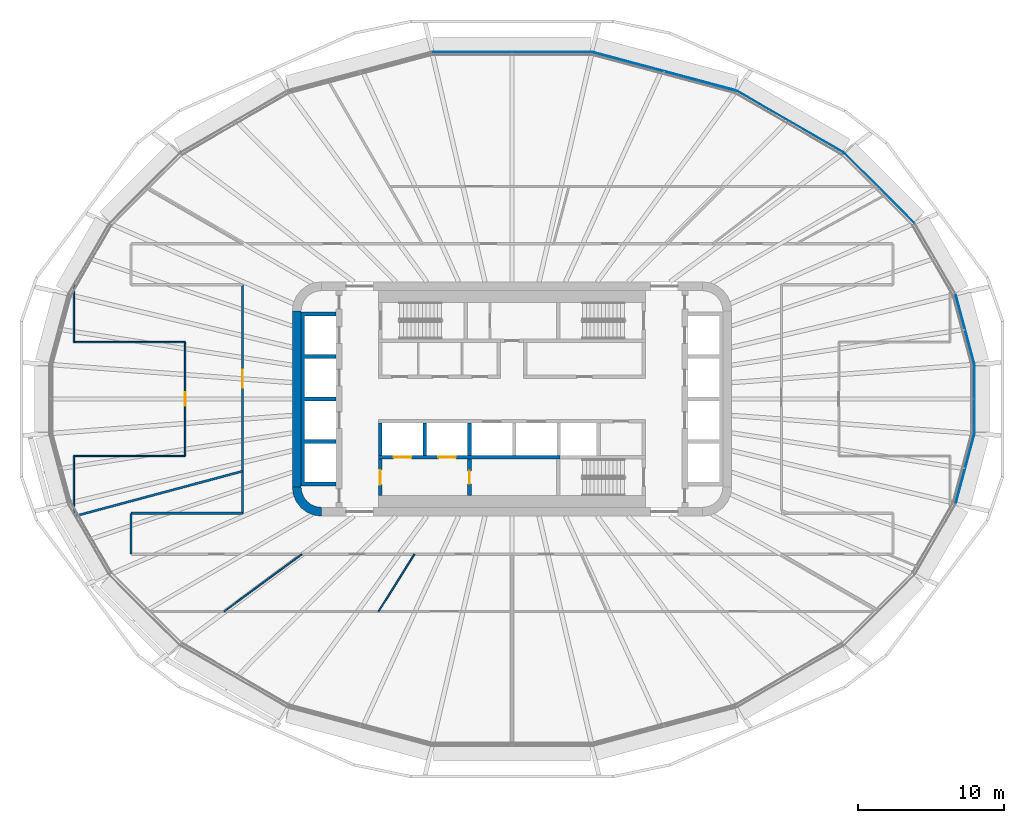
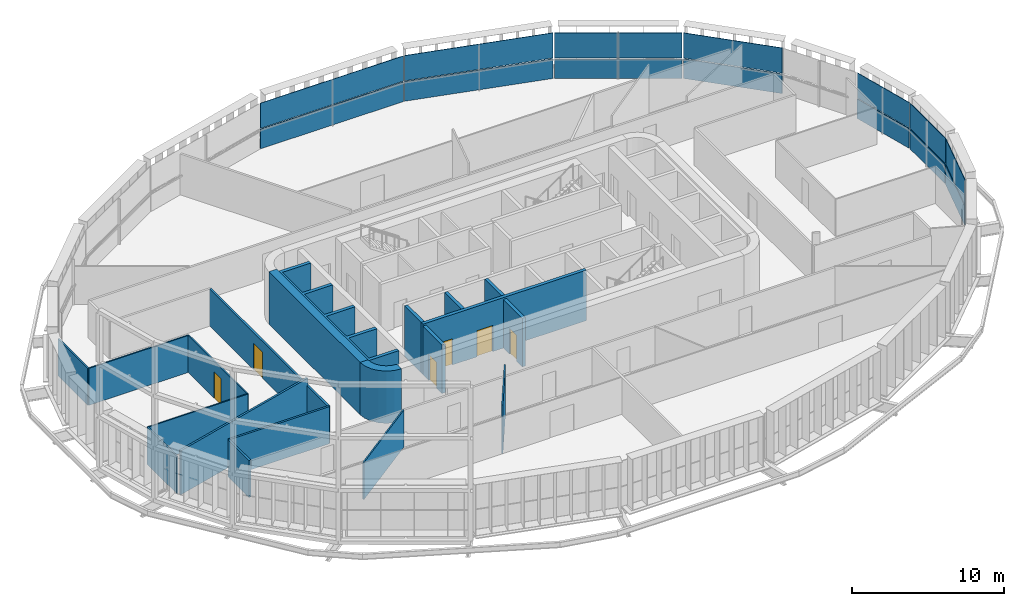
# One storey, part 14 of 25: 20 walls, 14 plates, 6 doors, 6 openings, 7 elements without a shape of their own.
"""IFC4 building model written with IfcOpenShell, lengths in metres."""

from ifc_helpers import new_model, si_unit, direction, frame, frame_2d, origin, place, context, subcontext, project, spatial, polyline, rectangle, outline, extrude, material, layer, layer_set, type_object, element, fill, aggregate, save


model = new_model("IFC4")

# Units and contexts
model_context = context("Model", 3, precision=1e-05, world=origin(), true_north=direction((0.0, 1.0)))
body_context = subcontext(model_context, "Body", "Model", "MODEL_VIEW")
ifc_project = project(units=[si_unit("LENGTHUNIT", "METRE"), si_unit("AREAUNIT", "SQUARE_METRE"), si_unit("VOLUMEUNIT", "CUBIC_METRE"), si_unit("PLANEANGLEUNIT", "RADIAN"), si_unit("MASSUNIT", "GRAM", prefix="KILO")], contexts=[model_context])

# Site, building, storey
site_placement = place(None, origin())
site = spatial("IfcSite", under=ifc_project, at=site_placement, CompositionType="ELEMENT")
building_placement = place(site_placement, origin())
building = spatial("IfcBuilding", under=site, at=building_placement, Name="Sahrelin Media Tower", CompositionType="ELEMENT")
storey_placement = place(building_placement, frame((0.0, 0.0, 135.60009765625)))
storey = spatial("IfcBuildingStorey", under=building, at=storey_placement, Name="L27", CompositionType="ELEMENT", Elevation=135.60009765625)

# Curtain wall, plate
ifc_material_1 = material(Name="Champagne anodised aluminium 6063-T6", Category="aluminium")
ifc_layer_1 = layer(ifc_material_1, 0.14990234375)
ifc_layer_set_1 = layer_set([ifc_layer_1], Name="Tower ribbon curtain wall")
curtain_wall_type = type_object("IfcCurtainWallType", Name="Tower ribbon curtain wall", PredefinedType="NOTDEFINED", material=ifc_layer_set_1)
curtain_wall_1_placement = place(storey_placement, frame((31.57861328125, 0.0, 0.0), z_axis=(0.0, 0.0, 1.0), x_axis=(1.0, 0.0, 0.0)))
curtain_wall_1 = element("IfcCurtainWall", 1, at=curtain_wall_1_placement, inside=storey, type_object=curtain_wall_type, Name="L27:CW:L27-00", PredefinedType="NOTDEFINED")
ifc_material_2 = material(Name="Clear low-iron glazing", Category="glass")
ifc_layer_2 = layer(ifc_material_2, 0.0400390625)
ifc_layer_set_2 = layer_set([ifc_layer_2], Name="Glazing panel 40 mm CW1")
plate_type_1 = type_object("IfcPlateType", Name="Glazing panel 40 mm CW1", PredefinedType="CURTAIN_PANEL", material=ifc_layer_set_2)
plate_1_placement = place(storey_placement, frame((31.5986328125, -2.30859375, 1.6298828125), z_axis=(1.0, 0.0, 0.0), x_axis=(0.0, 1.0, 0.0)))
plate_1 = element("IfcPlate", 2, at=plate_1_placement, type_object=plate_type_1, Name="L27:CWP2:L27-00", PredefinedType="CURTAIN_PANEL", context=body_context, shape_type="SweptSolid", body=[
    extrude(outline(polyline([(0.0, 0.0), (4.6171875, 0.0), (4.6171875, 2.0185546875), (0.0, 2.0185546875), (0.0, 0.0)])), origin(), (0.0, 0.0, -1.0), 0.0400390625),
])

curtain_wall_2_placement = place(storey_placement, frame((30.940185546875, 4.7412109375, 0.0), z_axis=(0.0, 0.0, 1.0), x_axis=(1.0, 0.0, 0.0)))
curtain_wall_2 = element("IfcCurtainWall", 3, at=curtain_wall_2_placement, inside=storey, type_object=curtain_wall_type, Name="L27:CW:L27-01", PredefinedType="NOTDEFINED")
plate_2_placement = place(storey_placement, frame((31.585205078125, 2.412109375, 1.6298828125), z_axis=(0.965913101603, 0.258866529609, 0.0), x_axis=(-0.258866529609, 0.965913101603, 0.0)))
plate_2 = element("IfcPlate", 4, at=plate_2_placement, type_object=plate_type_1, Name="L27:CWP2:L27-01", PredefinedType="CURTAIN_PANEL", context=body_context, shape_type="SweptSolid", body=[
    extrude(outline(polyline([(0.0, 0.0), (4.83349609375, 0.0), (4.83349609375, 2.0185546875), (0.0, 2.0185546875), (0.0, 0.0)])), origin(), (0.0, 0.0, -1.0), 0.0400390625),
])

curtain_wall_3_placement = place(storey_placement, frame((25.08349609375, 14.39697265625, 0.0), z_axis=(0.0, 0.0, 1.0), x_axis=(1.0, 0.0, 0.0)))
curtain_wall_3 = element("IfcCurtainWall", 5, at=curtain_wall_3_placement, inside=storey, type_object=curtain_wall_type, Name="L27:CW:L27-03", PredefinedType="NOTDEFINED")
plate_3_placement = place(storey_placement, frame((27.473876953125, 12.034912109375, 1.6298828125), z_axis=(0.707106781187, 0.707106781187, 0.0), x_axis=(-0.707106781187, 0.707106781187, 0.0)))
plate_3 = element("IfcPlate", 6, at=plate_3_placement, type_object=plate_type_1, Name="L27:CWP2:L27-03", PredefinedType="CURTAIN_PANEL", context=body_context, shape_type="SweptSolid", body=[
    extrude(outline(polyline([(0.0, 0.0), (6.720703125, 0.0), (6.720703125, 2.0185546875), (0.0, 2.0185546875), (0.0, 0.0)])), origin(), (0.0, 0.0, -1.0), 0.0400390625),
])

curtain_wall_4_placement = place(storey_placement, frame((18.990966796875, 18.93359375, 0.0), z_axis=(0.0, 0.0, 1.0), x_axis=(1.0, 0.0, 0.0)))
curtain_wall_4 = element("IfcCurtainWall", 7, at=curtain_wall_4_placement, inside=storey, type_object=curtain_wall_type, Name="L27:CW:L27-04", PredefinedType="NOTDEFINED")
plate_4_placement = place(storey_placement, frame((22.638916015625, 16.8505859375, 1.6298828125), z_axis=(0.499995799698, 0.866027828816, 0.0), x_axis=(-0.866027828816, 0.499995799698, 0.0)))
plate_4 = element("IfcPlate", 8, at=plate_4_placement, type_object=plate_type_1, Name="L27:CWP2:L27-04", PredefinedType="CURTAIN_PANEL", context=body_context, shape_type="SweptSolid", body=[
    extrude(outline(polyline([(0.0, 0.0), (8.4013671875, 0.0), (8.4013671875, 2.0185546875), (0.0, 2.0185546875), (0.0, 0.0)])), origin(), (0.0, 0.0, -1.0), 0.0400390625),
])

curtain_wall_5_placement = place(storey_placement, frame((10.389404296875, 22.377197265625, 0.0), z_axis=(0.0, 0.0, 1.0), x_axis=(1.0, 0.0, 0.0)))
curtain_wall_5 = element("IfcCurtainWall", 9, at=curtain_wall_5_placement, inside=storey, type_object=curtain_wall_type, Name="L27:CW:L27-05", PredefinedType="NOTDEFINED")
plate_5_placement = place(storey_placement, frame((15.2666015625, 21.09130859375, 1.6298828125), z_axis=(0.258816330459, 0.965926553671, 0.0), x_axis=(-0.965926553671, 0.258816330459, 0.0)))
plate_5 = element("IfcPlate", 10, at=plate_5_placement, type_object=plate_type_1, Name="L27:CWP2:L27-05", PredefinedType="CURTAIN_PANEL", context=body_context, shape_type="SweptSolid", body=[
    extrude(outline(polyline([(0.0, 0.0), (10.087646484375, 0.0), (10.087646484375, 2.0185546875), (0.0, 2.0185546875), (0.0, 0.0)])), origin(), (0.0, 0.0, -1.0), 0.0400390625),
])

curtain_wall_6_placement = place(storey_placement, frame((0.0, 23.69580078125, 0.0), z_axis=(0.0, 0.0, 1.0), x_axis=(1.0, 0.0, 0.0)))
curtain_wall_6 = element("IfcCurtainWall", 11, at=curtain_wall_6_placement, inside=storey, type_object=curtain_wall_type, Name="L27:CW:L27-06", PredefinedType="NOTDEFINED")
plate_6_placement = place(storey_placement, frame((5.419189453125, 23.7158203125, 1.6298828125), z_axis=(0.0, 1.0, 0.0), x_axis=(-1.0, 0.0, 0.0)))
plate_6 = element("IfcPlate", 12, at=plate_6_placement, type_object=plate_type_1, Name="L27:CWP2:L27-06", PredefinedType="CURTAIN_PANEL", context=body_context, shape_type="SweptSolid", body=[
    extrude(outline(polyline([(0.0, 0.0), (10.83837890625, 0.0), (10.83837890625, 2.0185546875), (0.0, 2.0185546875), (0.0, 0.0)])), origin(), (0.0, 0.0, -1.0), 0.0400390625),
])

curtain_wall_7_placement = place(storey_placement, frame((30.940185546875, -4.7412109375, 0.0), z_axis=(0.0, 0.0, 1.0), x_axis=(1.0, 0.0, 0.0)))
curtain_wall_7 = element("IfcCurtainWall", 13, at=curtain_wall_7_placement, inside=storey, type_object=curtain_wall_type, Name="L27:CW:L27-23", PredefinedType="NOTDEFINED")
plate_7_placement = place(storey_placement, frame((30.333984375, -7.080810546875, 1.6298828125), z_axis=(0.965913101603, -0.258866529609, 0.0), x_axis=(0.258866529609, 0.965913101603, 0.0)))
plate_7 = element("IfcPlate", 14, at=plate_7_placement, type_object=plate_type_1, Name="L27:CWP2:L27-23", PredefinedType="CURTAIN_PANEL", context=body_context, shape_type="SweptSolid", body=[
    extrude(outline(polyline([(0.0, 0.0), (4.83349609375, 0.0), (4.83349609375, 2.0185546875), (0.0, 2.0185546875), (0.0, 0.0)])), origin(), (0.0, 0.0, -1.0), 0.0400390625),
])

# Plate
ifc_material_3 = material(Name="Insulated spandrel panel")
ifc_layer_3 = layer(ifc_material_3, 0.06005859375)
ifc_layer_set_3 = layer_set([ifc_layer_3], Name="Spandrel panel 60 mm CW1")
plate_type_2 = type_object("IfcPlateType", Name="Spandrel panel 60 mm CW1", PredefinedType="SHEET", material=ifc_layer_set_3)
plate_8_placement = place(storey_placement, frame((31.5986328125, -2.30859375, 0.0), z_axis=(1.0, 0.0, 0.0), x_axis=(0.0, 1.0, 0.0)))
plate_8 = element("IfcPlate", 15, at=plate_8_placement, type_object=plate_type_2, Name="L27:CWP1:L27-00", PredefinedType="SHEET", context=body_context, shape_type="SweptSolid", body=[
    extrude(outline(polyline([(0.0, 0.0), (4.6171875, 0.0), (4.6171875, 1.56982421875), (0.0, 1.56982421875), (0.0, 0.0)])), origin(), (0.0, 0.0, -1.0), 0.06005859375),
])

aggregate(curtain_wall_1, [plate_8, plate_1])

plate_9_placement = place(storey_placement, frame((31.585205078125, 2.412109375, 0.0), z_axis=(0.965913101603, 0.258866529609, 0.0), x_axis=(-0.258866529609, 0.965913101603, 0.0)))
plate_9 = element("IfcPlate", 16, at=plate_9_placement, type_object=plate_type_2, Name="L27:CWP1:L27-01", PredefinedType="SHEET", context=body_context, shape_type="SweptSolid", body=[
    extrude(outline(polyline([(0.0, 0.0), (4.83349609375, 0.0), (4.83349609375, 1.56982421875), (0.0, 1.56982421875), (0.0, 0.0)])), origin(), (0.0, 0.0, -1.0), 0.06005859375),
])

aggregate(curtain_wall_2, [plate_9, plate_2])

plate_10_placement = place(storey_placement, frame((27.473876953125, 12.034912109375, 0.0), z_axis=(0.707106781187, 0.707106781187, 0.0), x_axis=(-0.707106781187, 0.707106781187, 0.0)))
plate_10 = element("IfcPlate", 17, at=plate_10_placement, type_object=plate_type_2, Name="L27:CWP1:L27-03", PredefinedType="SHEET", context=body_context, shape_type="SweptSolid", body=[
    extrude(outline(polyline([(0.0, 0.0), (6.720703125, 0.0), (6.720703125, 1.56982421875), (0.0, 1.56982421875), (0.0, 0.0)])), origin(), (0.0, 0.0, -1.0), 0.06005859375),
])

aggregate(curtain_wall_3, [plate_10, plate_3])

plate_11_placement = place(storey_placement, frame((22.638916015625, 16.8505859375, 0.0), z_axis=(0.499995799698, 0.866027828816, 0.0), x_axis=(-0.866027828816, 0.499995799698, 0.0)))
plate_11 = element("IfcPlate", 18, at=plate_11_placement, type_object=plate_type_2, Name="L27:CWP1:L27-04", PredefinedType="SHEET", context=body_context, shape_type="SweptSolid", body=[
    extrude(outline(polyline([(0.0, 0.0), (8.4013671875, 0.0), (8.4013671875, 1.56982421875), (0.0, 1.56982421875), (0.0, 0.0)])), origin(), (0.0, 0.0, -1.0), 0.06005859375),
])

aggregate(curtain_wall_4, [plate_11, plate_4])

plate_12_placement = place(storey_placement, frame((15.2666015625, 21.09130859375, 0.0), z_axis=(0.258816330459, 0.965926553671, 0.0), x_axis=(-0.965926553671, 0.258816330459, 0.0)))
plate_12 = element("IfcPlate", 19, at=plate_12_placement, type_object=plate_type_2, Name="L27:CWP1:L27-05", PredefinedType="SHEET", context=body_context, shape_type="SweptSolid", body=[
    extrude(outline(polyline([(0.0, 0.0), (10.087646484375, 0.0), (10.087646484375, 1.56982421875), (0.0, 1.56982421875), (0.0, 0.0)])), origin(), (0.0, 0.0, -1.0), 0.06005859375),
])

aggregate(curtain_wall_5, [plate_12, plate_5])

plate_13_placement = place(storey_placement, frame((5.419189453125, 23.7158203125, 0.0), z_axis=(0.0, 1.0, 0.0), x_axis=(-1.0, 0.0, 0.0)))
plate_13 = element("IfcPlate", 20, at=plate_13_placement, type_object=plate_type_2, Name="L27:CWP1:L27-06", PredefinedType="SHEET", context=body_context, shape_type="SweptSolid", body=[
    extrude(outline(polyline([(0.0, 0.0), (10.83837890625, 0.0), (10.83837890625, 1.56982421875), (0.0, 1.56982421875), (0.0, 0.0)])), origin(), (0.0, 0.0, -1.0), 0.06005859375),
])

aggregate(curtain_wall_6, [plate_13, plate_6])

plate_14_placement = place(storey_placement, frame((30.333984375, -7.080810546875, 0.0), z_axis=(0.965913101603, -0.258866529609, 0.0), x_axis=(0.258866529609, 0.965913101603, 0.0)))
plate_14 = element("IfcPlate", 21, at=plate_14_placement, type_object=plate_type_2, Name="L27:CWP1:L27-23", PredefinedType="SHEET", context=body_context, shape_type="SweptSolid", body=[
    extrude(outline(polyline([(0.0, 0.0), (4.83349609375, 0.0), (4.83349609375, 1.56982421875), (0.0, 1.56982421875), (0.0, 0.0)])), origin(), (0.0, 0.0, -1.0), 0.06005859375),
])

aggregate(curtain_wall_7, [plate_14, plate_7])

# Walls
ifc_material_4 = material(Name="Concrete C60/75", Category="concrete")
ifc_layer_4 = layer(ifc_material_4, 0.60009765625)
ifc_layer_set_4 = layer_set([ifc_layer_4], Name="Core wall 600")
wall_type_1 = type_object("IfcWallType", Name="Core wall 600", PredefinedType="SHEAR", material=ifc_layer_set_4)
wall_1_placement = place(storey_placement, frame((-14.699951171875, -6.0, 0.0), z_axis=(0.0, 0.0, 1.0), x_axis=(0.0, 1.0, 0.0)))
element("IfcWall", 22, at=wall_1_placement, inside=storey, type_object=wall_type_1, Name="Core wall W L27", PredefinedType="SHEAR", context=body_context, shape_type="SweptSolid", body=[
    extrude(rectangle(XDim=12.0, YDim=0.60009765625, at=frame_2d((6.0, 0.0))), origin(), (0.0, 0.0, 1.0), 4.199951171875),
])
placement = place(storey_placement, origin())
element("IfcWall", 23, at=placement, inside=storey, type_object=wall_type_1, Name="Core wall corner SW L27", PredefinedType="SHEAR", context=body_context, shape_type="SweptSolid", body=[
    extrude(outline(polyline([(-13.0, -8.0), (-13.0, -7.394775390625), (-13.361083984375, -7.347412109375), (-13.697509765625, -7.2080078125), (-13.986328125, -6.986328125), (-14.2080078125, -6.697509765625), (-14.347412109375, -6.361083984375), (-14.394775390625, -6.0), (-15.0, -6.0), (-14.931884765625, -6.517578125), (-14.732177734375, -7.0), (-14.414306640625, -7.414306640625), (-14.0, -7.732177734375), (-13.517578125, -7.931884765625), (-13.0, -8.0)])), origin(), (0.0, 0.0, 1.0), 4.199951171875),
])
ifc_material_5 = material(Name="Fire-rated gypsum board partition")
ifc_layer_5 = layer(ifc_material_5, 0.14990234375)
ifc_layer_set_5 = layer_set([ifc_layer_5], Name="Fire-rated partition 150")
wall_type_2 = type_object("IfcWallType", Name="Fire-rated partition 150", PredefinedType="PARTITIONING", material=ifc_layer_set_5)
wall_3_placement = place(storey_placement, frame((-26.0, -7.800048828125, 0.0), z_axis=(0.0, 0.0, 1.0), x_axis=(1.0, 0.0, 0.0)))
element("IfcWall", 24, at=wall_3_placement, inside=storey, type_object=wall_type_2, Name="Wall", PredefinedType="PARTITIONING", context=body_context, shape_type="SweptSolid", body=[
    extrude(rectangle(XDim=7.60009765625, YDim=0.14990234375, at=frame_2d((3.800048828125, 0.0))), origin(), (0.0, 0.0, 1.0), 2.976806640625),
])
wall_4_placement = place(storey_placement, frame((-29.803955078125, -7.986083984375, 0.0), z_axis=(0.0, 0.0, 1.0), x_axis=(0.965916389644, 0.258854260572, 0.0)))
element("IfcWall", 25, at=wall_4_placement, inside=storey, type_object=wall_type_2, Name="Wall", PredefinedType="PARTITIONING", context=body_context, shape_type="SweptSolid", body=[
    extrude(rectangle(XDim=11.806396484375, YDim=0.14990234375, at=frame_2d((5.9033203125, 0.0))), origin(), (0.0, 0.0, 1.0), 3.52490234375),
])

# Wall, opening, door
wall_5_placement = place(storey_placement, frame((-18.39990234375, -7.800048828125, 0.0), z_axis=(0.0, 0.0, 1.0), x_axis=(0.0, 1.0, 0.0)))
wall_5 = element("IfcWall", 26, at=wall_5_placement, inside=storey, type_object=wall_type_2, Name="Wall", PredefinedType="PARTITIONING", context=body_context, shape_type="SweptSolid", body=[
    extrude(rectangle(XDim=15.60009765625, YDim=0.14990234375, at=frame_2d((7.800048828125, 0.0))), origin(), (0.0, 0.0, 1.0), 2.968017578125),
])
opening_1_placement = place(wall_5_placement, frame((8.5849609375, 0.0, 0.0)))
opening_1 = element("IfcOpeningElement", 27, at=opening_1_placement, cuts=wall_5, Name="Opening L27-D30", PredefinedType="OPENING", context=body_context, shape_type="SweptSolid", body=[
    extrude(rectangle(XDim=1.199951171875, YDim=2.10009765625, at=frame_2d((0.60009765625, 1.050048828125))), frame((0.0, 0.074951171875, 0.0), z_axis=(0.0, -1.0, 0.0), x_axis=(1.0, 0.0, 0.0)), (0.0, 0.0, 1.0), 0.14990234375),
])
ifc_material_6 = material(Name="Steel fire door leaf", Category="steel")
door_type_1 = type_object("IfcDoorType", Name="Service double door 1200 x 2100 EI 60", OperationType="DOUBLE_DOOR_SINGLE_SWING", PredefinedType="DOOR", material=ifc_material_6)
door_1_placement = place(opening_1_placement, origin())
door_1 = element("IfcDoor", 28, at=door_1_placement, inside=storey, type_object=door_type_1, Name="Service double door", OperationType="DOUBLE_DOOR_SINGLE_SWING", OverallHeight=2.10009765625, OverallWidth=1.199951171875, PredefinedType="DOOR", context=body_context, shape_type="SweptSolid", body=[
    extrude(rectangle(XDim=1.199951171875, YDim=2.10009765625, at=frame_2d((0.60009765625, 1.050048828125))), frame((0.0, 0.02490234375, 0.0), z_axis=(0.0, -1.0, 0.0), x_axis=(1.0, 0.0, 0.0)), (0.0, 0.0, 1.0), 0.050048828125),
])
fill(opening_1, door_1)

# Wall
wall_6_placement = place(storey_placement, frame((-26.0, -10.574951171875, 0.0), z_axis=(0.0, 0.0, 1.0), x_axis=(0.0, 1.0, 0.0)))
element("IfcWall", 29, at=wall_6_placement, inside=storey, type_object=wall_type_2, Name="Wall", PredefinedType="PARTITIONING", context=body_context, shape_type="SweptSolid", body=[
    extrude(rectangle(XDim=2.77490234375, YDim=0.14990234375, at=frame_2d((1.387451171875, 0.0))), origin(), (0.0, 0.0, 1.0), 2.976806640625),
])

# Wall, opening, door
ifc_layer_6 = layer(ifc_material_5, 0.25)
ifc_layer_set_6 = layer_set([ifc_layer_6], Name="Firefighting lobby wall 250")
wall_type_3 = type_object("IfcWallType", Name="Firefighting lobby wall 250", PredefinedType="PARTITIONING", material=ifc_layer_set_6)
wall_7_placement = place(storey_placement, frame((-9.0, -6.60009765625, 0.0), z_axis=(0.0, 0.0, 1.0), x_axis=(0.0, 1.0, 0.0)))
wall_7 = element("IfcWall", 30, at=wall_7_placement, inside=storey, type_object=wall_type_3, Name="Core wall", PredefinedType="PARTITIONING", context=body_context, shape_type="SweptSolid", body=[
    extrude(rectangle(XDim=2.5, YDim=0.25, at=frame_2d((1.25, 0.0))), origin(), (0.0, 0.0, 1.0), 3.89990234375),
])
opening_2_placement = place(wall_7_placement, frame((0.75, 0.0, 0.0)))
opening_2 = element("IfcOpeningElement", 31, at=opening_2_placement, cuts=wall_7, Name="Opening L27-D04", PredefinedType="OPENING", context=body_context, shape_type="SweptSolid", body=[
    extrude(rectangle(XDim=1.0, YDim=2.10009765625, at=frame_2d((0.5, 1.050048828125))), frame((0.0, 0.125, 0.0), z_axis=(0.0, -1.0, 0.0), x_axis=(1.0, 0.0, 0.0)), (0.0, 0.0, 1.0), 0.25),
])
door_type_2 = type_object("IfcDoorType", Name="Firefighting lobby door 1000 x 2100 EI 120", OperationType="NOTDEFINED", PredefinedType="DOOR", material=ifc_material_6)
door_2_placement = place(opening_2_placement, origin())
door_2 = element("IfcDoor", 32, at=door_2_placement, inside=storey, type_object=door_type_2, Name="Firefighting lobby door", OperationType="SINGLE_SWING_LEFT", OverallHeight=2.10009765625, OverallWidth=1.0, PredefinedType="DOOR", context=body_context, shape_type="SweptSolid", body=[
    extrude(rectangle(XDim=1.0, YDim=2.10009765625, at=frame_2d((0.5, 1.050048828125))), frame((0.0, 0.02490234375, 0.0), z_axis=(0.0, -1.0, 0.0), x_axis=(1.0, 0.0, 0.0)), (0.0, 0.0, 1.0), 0.050048828125),
])
fill(opening_2, door_2)

wall_8_placement = place(storey_placement, frame((-2.89990234375, -6.60009765625, 0.0), z_axis=(0.0, 0.0, 1.0), x_axis=(0.0, 1.0, 0.0)))
wall_8 = element("IfcWall", 33, at=wall_8_placement, inside=storey, type_object=wall_type_3, Name="Core wall", PredefinedType="PARTITIONING", context=body_context, shape_type="SweptSolid", body=[
    extrude(rectangle(XDim=2.5, YDim=0.25, at=frame_2d((1.25, 0.0))), origin(), (0.0, 0.0, 1.0), 3.89990234375),
])
opening_3_placement = place(wall_8_placement, frame((0.800048828125, 0.0, 0.0)))
opening_3 = element("IfcOpeningElement", 34, at=opening_3_placement, cuts=wall_8, Name="Opening L27-D05", PredefinedType="OPENING", context=body_context, shape_type="SweptSolid", body=[
    extrude(rectangle(XDim=0.89990234375, YDim=2.10009765625, at=frame_2d((0.449951171875, 1.050048828125))), frame((0.0, 0.125, 0.0), z_axis=(0.0, -1.0, 0.0), x_axis=(1.0, 0.0, 0.0)), (0.0, 0.0, 1.0), 0.25),
])
door_type_3 = type_object("IfcDoorType", Name="Firefighting lobby door 900 x 2100 EI 120", OperationType="NOTDEFINED", PredefinedType="DOOR", material=ifc_material_6)
door_3_placement = place(opening_3_placement, origin())
door_3 = element("IfcDoor", 35, at=door_3_placement, inside=storey, type_object=door_type_3, Name="Riser door", OperationType="SINGLE_SWING_RIGHT", OverallHeight=2.10009765625, OverallWidth=0.89990234375, PredefinedType="DOOR", context=body_context, shape_type="SweptSolid", body=[
    extrude(rectangle(XDim=0.89990234375, YDim=2.10009765625, at=frame_2d((0.449951171875, 1.050048828125))), frame((0.0, 0.02490234375, 0.0), z_axis=(0.0, -1.0, 0.0), x_axis=(1.0, 0.0, 0.0)), (0.0, 0.0, 1.0), 0.050048828125),
])
fill(opening_3, door_3)

# Wall, openings, doors
ifc_layer_7 = layer(ifc_material_4, 0.25)
ifc_layer_set_7 = layer_set([ifc_layer_7], Name="Lift shaft wall 250")
wall_type_4 = type_object("IfcWallType", Name="Lift shaft wall 250", PredefinedType="SOLIDWALL", material=ifc_layer_set_7)
wall_9_placement = place(storey_placement, frame((-9.125, -3.97509765625, 0.0), z_axis=(0.0, 0.0, 1.0), x_axis=(1.0, 0.0, 0.0)))
wall_9 = element("IfcWall", 36, at=wall_9_placement, inside=storey, type_object=wall_type_4, Name="Lift shaft wall", PredefinedType="SOLIDWALL", context=body_context, shape_type="SweptSolid", body=[
    extrude(rectangle(XDim=12.39990234375, YDim=0.25, at=frame_2d((6.199951171875, 0.0))), origin(), (0.0, 0.0, 1.0), 4.0498046875),
])
opening_4_placement = place(wall_9_placement, frame((1.050048828125, 0.0, 0.0)))
opening_4 = element("IfcOpeningElement", 37, at=opening_4_placement, cuts=wall_9, Name="Opening L27-LD-FF1", PredefinedType="OPENING", context=body_context, shape_type="SweptSolid", body=[
    extrude(rectangle(XDim=1.199951171875, YDim=2.10009765625, at=frame_2d((0.60009765625, 1.050048828125))), frame((0.0, 0.125, 0.0), z_axis=(0.0, -1.0, 0.0), x_axis=(1.0, 0.0, 0.0)), (0.0, 0.0, 1.0), 0.25),
])
opening_5_placement = place(wall_9_placement, frame((4.10009765625, 0.0, 0.0)))
opening_5 = element("IfcOpeningElement", 38, at=opening_5_placement, cuts=wall_9, Name="Opening L27-LD-FF2", PredefinedType="OPENING", context=body_context, shape_type="SweptSolid", body=[
    extrude(rectangle(XDim=1.199951171875, YDim=2.10009765625, at=frame_2d((0.60009765625, 1.050048828125))), frame((0.0, 0.125, 0.0), z_axis=(0.0, -1.0, 0.0), x_axis=(1.0, 0.0, 0.0)), (0.0, 0.0, 1.0), 0.25),
])
ifc_material_7 = material(Name="Stainless steel", Category="steel")
door_type_4 = type_object("IfcDoorType", Name="Lift landing door 1200 x 2100 EI 120", OperationType="DOUBLE_DOOR_SLIDING", PredefinedType="DOOR", material=ifc_material_7)
door_4_placement = place(opening_4_placement, origin())
door_4 = element("IfcDoor", 39, at=door_4_placement, inside=storey, type_object=door_type_4, Name="Lift landing door FF1", OperationType="DOUBLE_DOOR_SLIDING", OverallHeight=2.10009765625, OverallWidth=1.199951171875, PredefinedType="DOOR", context=body_context, shape_type="SweptSolid", body=[
    extrude(rectangle(XDim=1.199951171875, YDim=2.10009765625, at=frame_2d((0.60009765625, 1.050048828125))), frame((0.0, 0.02490234375, 0.0), z_axis=(0.0, -1.0, 0.0), x_axis=(1.0, 0.0, 0.0)), (0.0, 0.0, 1.0), 0.050048828125),
])
fill(opening_4, door_4)
door_5_placement = place(opening_5_placement, origin())
door_5 = element("IfcDoor", 40, at=door_5_placement, inside=storey, type_object=door_type_4, Name="Lift landing door FF2", OperationType="DOUBLE_DOOR_SLIDING", OverallHeight=2.10009765625, OverallWidth=1.199951171875, PredefinedType="DOOR", context=body_context, shape_type="SweptSolid", body=[
    extrude(rectangle(XDim=1.199951171875, YDim=2.10009765625, at=frame_2d((0.60009765625, 1.050048828125))), frame((0.0, 0.02490234375, 0.0), z_axis=(0.0, -1.0, 0.0), x_axis=(1.0, 0.0, 0.0)), (0.0, 0.0, 1.0), 0.050048828125),
])
fill(opening_5, door_5)

# Walls
for number, where, z_axis, x_axis, name in (
    (41, (-9.0, -3.85009765625, 0.0), (0.0, 0.0, 1.0), (0.0, 1.0, 0.0), "Lift shaft wall"),
    (42, (-5.949951171875, -3.85009765625, 0.0), (0.0, 0.0, 1.0), (0.0, 1.0, 0.0), "Lift shaft wall"),
    (43, (-2.89990234375, -3.85009765625, 0.0), (0.0, 0.0, 1.0), (0.0, 1.0, 0.0), "Lift shaft wall"),
):
    element("IfcWall", number, at=place(storey_placement, frame(where, z_axis=z_axis, x_axis=x_axis)), inside=storey, type_object=wall_type_4, Name=name, PredefinedType="SOLIDWALL", context=body_context, shape_type="SweptSolid", body=[
        extrude(rectangle(XDim=2.2001953125, YDim=0.25, at=frame_2d((1.10009765625, 0.0))), origin(), (0.0, 0.0, 1.0), 4.0498046875),
    ])
element("IfcWall", 44, at=placement, inside=storey, type_object=wall_type_4, Name="Lift shaft wall", PredefinedType="SOLIDWALL", context=body_context, shape_type="SweptSolid", body=[
    extrude(outline(polyline([(-12.0, -5.925048828125), (-12.0, -5.675048828125), (-14.14990234375, -5.675048828125), (-14.14990234375, -3.02490234375), (-12.0, -3.02490234375), (-12.0, -2.77490234375), (-14.14990234375, -2.77490234375), (-14.14990234375, -0.125), (-12.0, -0.125), (-12.0, 0.125), (-14.14990234375, 0.125), (-14.14990234375, 2.77490234375), (-12.0, 2.77490234375), (-12.0, 3.02490234375), (-14.14990234375, 3.02490234375), (-14.14990234375, 5.675048828125), (-12.0, 5.675048828125), (-12.0, 5.925048828125), (-14.14990234375, 5.925048828125), (-14.39990234375, 5.925048828125), (-14.39990234375, 5.675048828125), (-14.39990234375, 3.02490234375), (-14.39990234375, 2.77490234375), (-14.39990234375, 0.125), (-14.39990234375, -0.125), (-14.39990234375, -2.77490234375), (-14.39990234375, -3.02490234375), (-14.39990234375, -5.675048828125), (-14.39990234375, -5.925048828125), (-14.14990234375, -5.925048828125), (-12.0, -5.925048828125)])), origin(), (0.0, 0.0, 1.0), 4.0498046875),
])
ifc_material_8 = material(Name="Gypsum board partition")
ifc_layer_8 = layer(ifc_material_8, 0.10009765625)
ifc_layer_set_8 = layer_set([ifc_layer_8], Name="Partition 100")
wall_type_5 = type_object("IfcWallType", Name="Partition 100", PredefinedType="PARTITIONING", material=ifc_layer_set_8)
for number, where, z_axis, x_axis, name in (
    (45, (-29.909912109375, -3.889892578125, 0.0), (0.0, 0.0, 1.0), (1.0, 0.0, 0.0), "Wall"),
    (46, (-29.909912109375, 3.889892578125, 0.0), (0.0, 0.0, 1.0), (1.0, 0.0, 0.0), "Wall"),
):
    element("IfcWall", number, at=place(storey_placement, frame(where, z_axis=z_axis, x_axis=x_axis)), inside=storey, type_object=wall_type_5, Name=name, PredefinedType="PARTITIONING", context=body_context, shape_type="SweptSolid", body=[
        extrude(rectangle(XDim=7.599853515625, YDim=0.10009765625, at=frame_2d((3.7998046875, 0.0))), origin(), (0.0, 0.0, 1.0), 2.968017578125),
    ])
wall_11_placement = place(storey_placement, frame((-19.660888671875, -14.510009765625, 0.0), z_axis=(0.0, 0.0, 1.0), x_axis=(0.804603605329, 0.593812292136, 0.0)))
element("IfcWall", 47, at=wall_11_placement, inside=storey, type_object=wall_type_5, Name="Wall", PredefinedType="PARTITIONING", context=body_context, shape_type="SweptSolid", body=[
    extrude(rectangle(XDim=6.58447265625, YDim=0.10009765625, at=frame_2d((3.292236328125, 0.0))), origin(), (0.0, 0.0, 1.0), 2.976806640625),
])
wall_12_placement = place(storey_placement, frame((-9.116943359375, -14.510009765625, 0.0), z_axis=(0.0, 0.0, 1.0), x_axis=(0.531922462086, 0.846793064643, 0.0)))
element("IfcWall", 48, at=wall_12_placement, inside=storey, type_object=wall_type_5, Name="Wall", PredefinedType="PARTITIONING", context=body_context, shape_type="SweptSolid", body=[
    extrude(rectangle(XDim=4.617431640625, YDim=0.10009765625, at=frame_2d((2.30859375, 0.0))), origin(), (0.0, 0.0, 1.0), 3.89990234375),
])

# Wall, opening, door
wall_13_placement = place(storey_placement, frame((-22.31005859375, -3.889892578125, 0.0), z_axis=(0.0, 0.0, 1.0), x_axis=(0.0, 1.0, 0.0)))
wall_13 = element("IfcWall", 49, at=wall_13_placement, inside=storey, type_object=wall_type_5, Name="Wall", PredefinedType="PARTITIONING", context=body_context, shape_type="SweptSolid", body=[
    extrude(rectangle(XDim=7.77978515625, YDim=0.10009765625, at=frame_2d((3.889892578125, 0.0))), origin(), (0.0, 0.0, 1.0), 2.968017578125),
])
opening_6_placement = place(wall_13_placement, frame((3.43994140625, 0.0, 0.0)))
opening_6 = element("IfcOpeningElement", 50, at=opening_6_placement, cuts=wall_13, Name="Opening L27-D31", PredefinedType="OPENING", context=body_context, shape_type="SweptSolid", body=[
    extrude(rectangle(XDim=0.89990234375, YDim=2.10009765625, at=frame_2d((0.449951171875, 1.050048828125))), frame((0.0, 0.050048828125, 0.0), z_axis=(0.0, -1.0, 0.0), x_axis=(1.0, 0.0, 0.0)), (0.0, 0.0, 1.0), 0.10009765625),
])
ifc_material_9 = material(Name="Timber door leaf", Category="wood")
door_type_5 = type_object("IfcDoorType", Name="Single door 900 x 2100", OperationType="NOTDEFINED", PredefinedType="DOOR", material=ifc_material_9)
door_6_placement = place(opening_6_placement, origin())
door_6 = element("IfcDoor", 51, at=door_6_placement, inside=storey, type_object=door_type_5, Name="Single door", OperationType="SINGLE_SWING_LEFT", OverallHeight=2.10009765625, OverallWidth=0.89990234375, PredefinedType="DOOR", context=body_context, shape_type="SweptSolid", body=[
    extrude(rectangle(XDim=0.89990234375, YDim=2.10009765625, at=frame_2d((0.449951171875, 1.050048828125))), frame((0.0, 0.02490234375, 0.0), z_axis=(0.0, -1.0, 0.0), x_axis=(1.0, 0.0, 0.0)), (0.0, 0.0, 1.0), 0.050048828125),
])
fill(opening_6, door_6)

# Walls
for number, where, z_axis, x_axis, name in (
    (52, (-29.909912109375, -7.802978515625, 0.0), (0.0, 0.0, 1.0), (0.0, 1.0, 0.0), "Wall"),
    (53, (-29.909912109375, 3.889892578125, 0.0), (0.0, 0.0, 1.0), (0.0, 1.0, 0.0), "Wall"),
):
    element("IfcWall", number, at=place(storey_placement, frame(where, z_axis=z_axis, x_axis=x_axis)), inside=storey, type_object=wall_type_5, Name=name, PredefinedType="PARTITIONING", context=body_context, shape_type="SweptSolid", body=[
        extrude(rectangle(XDim=3.9130859375, YDim=0.10009765625, at=frame_2d((1.95654296875, 0.0))), origin(), (0.0, 0.0, 1.0), 2.968017578125),
    ])

save(model, "model.ifc")
